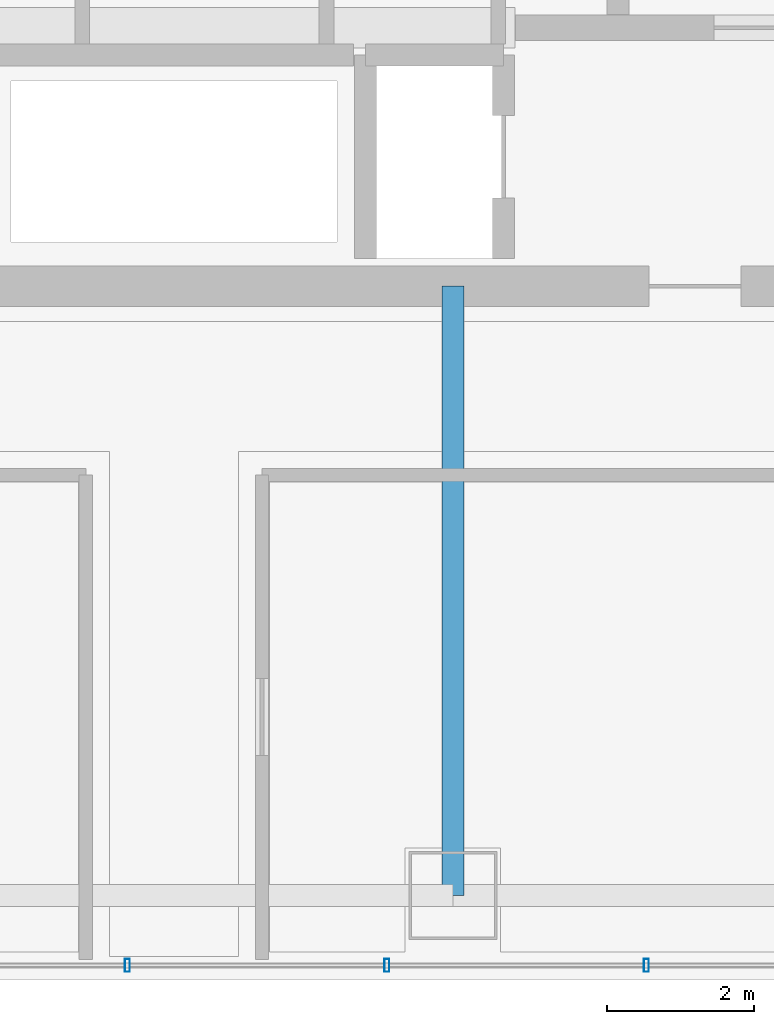
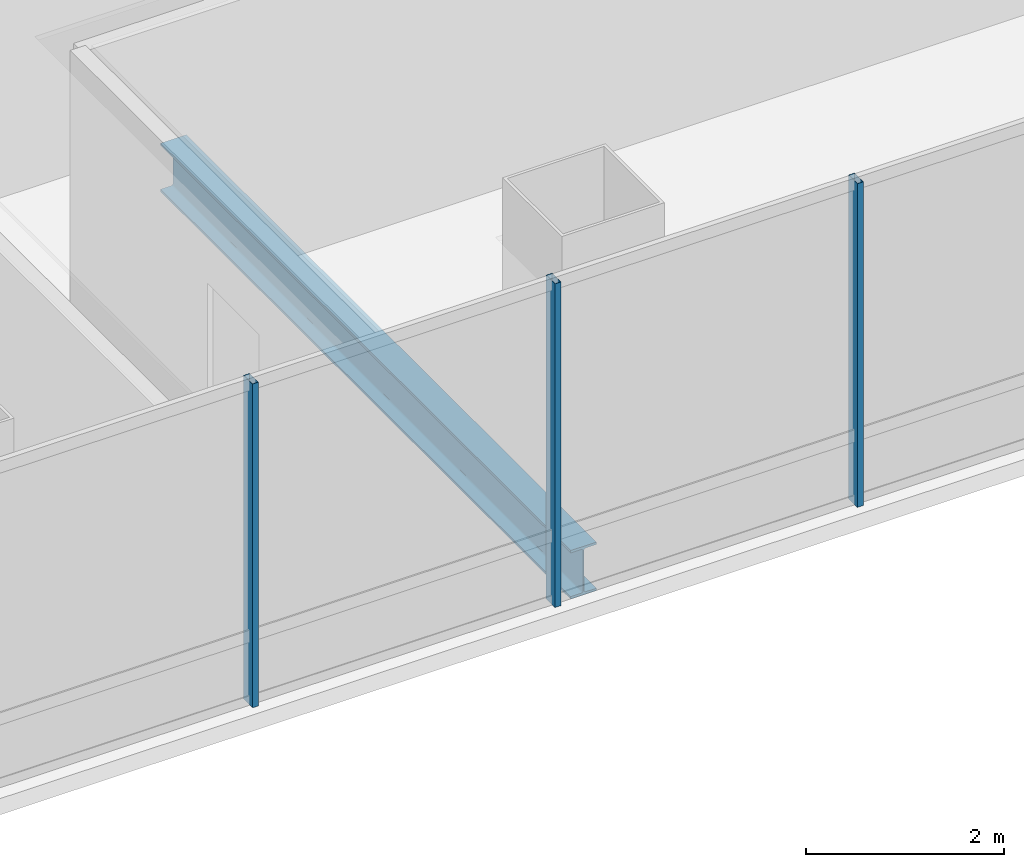
# One storey, part 9 of 41: 3 members, 1 beam, 1 element without a shape of its own.
"""IFC4 building model written with IfcOpenShell, lengths in metres."""

import ifcopenshell
import ifcopenshell.guid

model = None  # the IFC model being written
_history = None  # IfcOwnerHistory: only IFC2X3 demands one
_inside = {}  # id of a spatial element -> (the spatial element, [elements in it])
_under = {}  # id of a project, library or spatial element -> (it, [spatial elements below it])
_declared = {}  # id of a project -> (the project, [libraries it declares])
_typed = {}  # id of a type object -> (the type object, [elements of that type])
_made_of = {}  # id of a material, layer set ... -> (it, [elements and type objects made of it])


def new_model(schema):
    """Start an empty IFC model of exactly this schema.

    Asked for "IFC4X3", IfcOpenShell would pick the latest addendum, in which some entities
    have other attributes; the version numbers below select the first issue.
    IFC2X3 requires an IfcOwnerHistory on every rooted entity: one is made here for all.
    """
    global model, _history
    if schema == "IFC4X3":
        model = ifcopenshell.file(schema_version=(4, 3, 0, 0))
    else:
        model = ifcopenshell.file(schema=schema)
    _inside.clear()
    _under.clear()
    _declared.clear()
    _typed.clear()
    _made_of.clear()
    _history = None
    if model.schema == "IFC2X3":
        org = make("IfcOrganization", Name="unknown")
        user = make(
            "IfcPersonAndOrganization",
            ThePerson=make("IfcPerson", FamilyName="unknown"),
            TheOrganization=org,
        )
        app = make(
            "IfcApplication",
            ApplicationDeveloper=org,
            Version="unknown",
            ApplicationFullName="unknown",
            ApplicationIdentifier="unknown",
        )
        _history = make(
            "IfcOwnerHistory",
            OwningUser=user,
            OwningApplication=app,
            ChangeAction="ADDED",
            CreationDate=0,
        )
    return model


def make(cls, **values):
    """One entity of the class cls with the attributes given. An attribute that is None is left unset."""
    return model.create_entity(
        cls, **{name: value for name, value in values.items() if value is not None}
    )


def rooted(cls, **values):
    """An entity with a GlobalId (a new one), such as an element, a storey or a relation."""
    return make(cls, GlobalId=ifcopenshell.guid.new(), OwnerHistory=_history, **values)


def si_unit(unit_type, name, prefix=None):
    """IfcSIUnit, for example si_unit("LENGTHUNIT", "METRE", prefix="MILLI")."""
    return make("IfcSIUnit", UnitType=unit_type, Prefix=prefix, Name=name)


def assignment(units):
    """IfcUnitAssignment: the units of a project."""
    return None if units is None else make("IfcUnitAssignment", Units=units)


def point(xyz):
    """IfcCartesianPoint."""
    return None if xyz is None else make("IfcCartesianPoint", Coordinates=xyz)


def direction(xyz):
    """IfcDirection."""
    return None if xyz is None else make("IfcDirection", DirectionRatios=xyz)


def frame(location, z_axis=None, x_axis=None):
    """IfcAxis2Placement3D, a coordinate frame: its origin and axes. An axis left out is left unset."""
    return make(
        "IfcAxis2Placement3D",
        Location=point(location),
        Axis=direction(z_axis),
        RefDirection=direction(x_axis),
    )


def frame_2d(location, x_axis=None):
    """IfcAxis2Placement2D, a coordinate frame in the plane: its origin and x axis."""
    return make(
        "IfcAxis2Placement2D", Location=point(location), RefDirection=direction(x_axis)
    )


def origin():
    """The frame at (0, 0, 0) with its axes left unset."""
    return frame((0.0, 0.0, 0.0))


def origin_2d():
    """The frame at (0, 0) in the plane with its x axis left unset."""
    return frame_2d((0.0, 0.0))


def place(relative_to, where):
    """IfcLocalPlacement: puts the frame where relative to a parent placement (None: the world)."""
    return make(
        "IfcLocalPlacement", PlacementRelTo=relative_to, RelativePlacement=where
    )


def context(
    kind, dimensions, precision=None, world=None, true_north=None, identifier=None
):
    """IfcGeometricRepresentationContext, for example the 3D "Model" context."""
    return make(
        "IfcGeometricRepresentationContext",
        ContextIdentifier=identifier,
        ContextType=kind,
        CoordinateSpaceDimension=dimensions,
        Precision=precision,
        WorldCoordinateSystem=world,
        TrueNorth=true_north,
    )


def subcontext(parent, identifier, kind, view, scale=None):
    """IfcGeometricRepresentationSubContext, for example "Body" below "Model"."""
    return make(
        "IfcGeometricRepresentationSubContext",
        ContextIdentifier=identifier,
        ContextType=kind,
        ParentContext=parent,
        TargetScale=scale,
        TargetView=view,
    )


def project(units=None, contexts=None):
    """IfcProject with its units and contexts."""
    return rooted(
        "IfcProject",
        Name="project",
        RepresentationContexts=contexts,
        UnitsInContext=assignment(units),
    )


def spatial(cls, under=None, at=None, **own):
    """A site, building, storey or space (cls), placed at a placement, below another one or the project."""
    s = rooted(cls, ObjectPlacement=at, **own)
    if under is not None:
        _under.setdefault(under.id(), (under, []))[1].append(s)
    return s


def profile(cls, at=None, kind="AREA", **sizes):
    """A parametric profile (cls). Its sizes go by their IFC names, for example OverallWidth=200.0."""
    return make(cls, ProfileType=kind, Position=at, **sizes)


def hollow_rectangle(**sizes):
    """IfcRectangleHollowProfileDef."""
    return profile("IfcRectangleHollowProfileDef", **sizes)


def i_section(**sizes):
    """IfcIShapeProfileDef."""
    return profile("IfcIShapeProfileDef", **sizes)


def extrude(swept, where, along, depth):
    """IfcExtrudedAreaSolid: the profile swept, set in the frame where, extruded along a direction by depth."""
    return make(
        "IfcExtrudedAreaSolid",
        SweptArea=swept,
        Position=where,
        ExtrudedDirection=direction(along),
        Depth=depth,
    )


def shape(context_of_items, identifier, shape_type, items):
    """IfcShapeRepresentation: the items that make up one representation, for example the "Body"."""
    return make(
        "IfcShapeRepresentation",
        ContextOfItems=context_of_items,
        RepresentationIdentifier=identifier,
        RepresentationType=shape_type,
        Items=items,
    )


def material(Name=None, Category=None):
    """IfcMaterial."""
    return make("IfcMaterial", Name=Name, Category=Category)


def material_profile(
    of_material, cross_section, Name=None, Category=None, Priority=None
):
    """IfcMaterialProfile: a cross section and its material."""
    return make(
        "IfcMaterialProfile",
        Name=Name,
        Material=of_material,
        Profile=cross_section,
        Priority=Priority,
        Category=Category,
    )


def profile_set(profiles, Name=None, composite=None):
    """IfcMaterialProfileSet."""
    return make(
        "IfcMaterialProfileSet",
        Name=Name,
        MaterialProfiles=profiles,
        CompositeProfile=composite,
    )


def made_of(thing, what):
    """Note that an element or type object is made of a material, layer set ...; save() writes the relation."""
    if what is not None:
        _made_of.setdefault(what.id(), (what, []))[1].append(thing)
    return thing


def type_object(cls, material=None, **own):
    """A type object (cls), such as IfcWallType, which elements share."""
    return made_of(rooted(cls, **own), material)


def element(
    cls,
    number,
    at=None,
    inside=None,
    cuts=None,
    type_object=None,
    material=None,
    context=None,
    identifier="Body",
    shape_type=None,
    held_by="IfcProductDefinitionShape",
    body=None,
    shapes=None,
    **own,
):
    """One element of the class cls, such as IfcWall. Its Tag is "e" and its number.

    at: its placement. inside: the storey or other place that contains it. cuts: it is an
    opening in that element (IfcRelVoidsElement). A single representation is given by context,
    identifier, shape_type and body (its items); several are given by shapes. held_by: the class
    of the entity that holds the representations. save() writes the other relations.
    """
    e = rooted(cls, Tag="e%d" % number, ObjectPlacement=at, **own)
    if body is not None:
        shapes = [shape(context, identifier, shape_type, body)]
    if shapes is not None:
        e.Representation = make(held_by, Representations=shapes)
    if inside is not None:
        _inside.setdefault(inside.id(), (inside, []))[1].append(e)
    if cuts is not None:
        rooted(
            "IfcRelVoidsElement", RelatingBuildingElement=cuts, RelatedOpeningElement=e
        )
    if type_object is not None:
        _typed.setdefault(type_object.id(), (type_object, []))[1].append(e)
    return made_of(e, material)


def aggregate(whole, parts):
    """IfcRelAggregates: a whole, such as a stair, and the parts it consists of."""
    return rooted("IfcRelAggregates", RelatingObject=whole, RelatedObjects=parts)


def save(model, path):
    """Write the relations noted so far, then the file.

    IfcRelAggregates (storeys below a building ...), IfcRelContainedInSpatialStructure (elements
    in a storey), IfcRelDefinesByType, IfcRelAssociatesMaterial and IfcRelDeclares: one each for
    every whole, place, type object, material and project.
    """
    for whole, parts in _under.values():
        aggregate(whole, parts)
    for where, things in _inside.values():
        rooted(
            "IfcRelContainedInSpatialStructure",
            RelatedElements=things,
            RelatingStructure=where,
        )
    for kind, things in _typed.values():
        rooted("IfcRelDefinesByType", RelatedObjects=things, RelatingType=kind)
    for what, things in _made_of.values():
        rooted("IfcRelAssociatesMaterial", RelatedObjects=things, RelatingMaterial=what)
    for by, libraries in _declared.values():
        rooted("IfcRelDeclares", RelatingContext=by, RelatedDefinitions=libraries)
    model.write(path)


model = new_model("IFC4")

# Units and contexts
model_context = context("Model", 3, precision=1e-05, world=origin(), true_north=direction((0.0, 1.0)))
body_context = subcontext(model_context, "Body", "Model", "MODEL_VIEW")
ifc_project = project(units=[si_unit("LENGTHUNIT", "METRE"), si_unit("AREAUNIT", "SQUARE_METRE"), si_unit("VOLUMEUNIT", "CUBIC_METRE"), si_unit("PLANEANGLEUNIT", "RADIAN"), si_unit("MASSUNIT", "GRAM", prefix="KILO")], contexts=[model_context])

# Site, building, storey
site_placement = place(None, origin())
site = spatial("IfcSite", under=ifc_project, at=site_placement, CompositionType="ELEMENT")
building_placement = place(site_placement, origin())
building = spatial("IfcBuilding", under=site, at=building_placement, Name="Punatoya Terracotta Tower", CompositionType="ELEMENT")
storey_placement = place(building_placement, frame((0.0, 0.0, 292.199951171875)))
storey = spatial("IfcBuildingStorey", under=building, at=storey_placement, Name="L69", CompositionType="ELEMENT", Elevation=292.199951171875)

# Beam
ifc_material_1 = material(Name="Steel S355", Category="steel")
ifc_material_profile_1 = material_profile(ifc_material_1, i_section(OverallWidth=0.300048828125, OverallDepth=0.60009765625, WebThickness=0.015380859375, FlangeThickness=0.030029296875, FilletRadius=0.01806640625, at=origin_2d()))
ifc_profile_set_1 = profile_set([ifc_material_profile_1], Name="Steel S355")
beam_type = type_object("IfcBeamType", Name="BM-PRI-600", PredefinedType="BEAM", material=ifc_profile_set_1)
beam_placement = place(storey_placement, frame((3.800048828125, -17.5, -0.5), z_axis=(0.0, 1.0, 0.0), x_axis=(-1.0, 0.0, 0.0)))
element("IfcBeam", 1, at=beam_placement, inside=storey, type_object=beam_type, Name="BM-L69-PR-S3", PredefinedType="BEAM", context=body_context, shape_type="SweptSolid", body=[
    extrude(i_section(OverallWidth=0.300048828125, OverallDepth=0.60009765625, WebThickness=0.015380859375, FlangeThickness=0.030029296875, FilletRadius=0.01806640625, at=origin_2d()), origin(), (0.0, 0.0, 1.0), 8.300048828125),
])

# Curtain wall, members
ifc_material_2 = material(Name="Aluminium 6063-T6 + Double Low-E Glass", Category="aluminium")
curtain_wall_type = type_object("IfcCurtainWallType", Name="CW-M3", PredefinedType="NOTDEFINED", material=ifc_material_2)
curtain_wall_placement = place(storey_placement, origin())
curtain_wall = element("IfcCurtainWall", 2, at=curtain_wall_placement, inside=storey, type_object=curtain_wall_type, Name="L69 Curtain Wall CW-L69-S01-1", PredefinedType="NOTDEFINED")
ifc_material_3 = material(Name="Aluminium 6063-T6", Category="aluminium")
ifc_material_profile_2 = material_profile(ifc_material_3, hollow_rectangle(XDim=0.070068359375, YDim=0.179931640625, WallThickness=0.00390625, at=origin_2d()))
ifc_profile_set_2 = profile_set([ifc_material_profile_2], Name="Aluminium 6063-T6")
member_type = type_object("IfcMemberType", Name="CW-MUL-M3", PredefinedType="MULLION", material=ifc_profile_set_2)
member_1_placement = place(storey_placement, frame((-0.633056640625, -18.449951171875, 0.0), z_axis=(0.0, 0.0, 1.0), x_axis=(1.0, 0.0, 0.0)))
member_1 = element("IfcMember", 3, at=member_1_placement, type_object=member_type, Name="CW-L69-S01-1 Mullion 06", PredefinedType="MULLION", context=body_context, shape_type="SweptSolid", body=[
    extrude(hollow_rectangle(XDim=0.070068359375, YDim=0.179931640625, WallThickness=0.00390625, at=origin_2d()), origin(), (0.0, 0.0, 1.0), 4.0),
])
member_2_placement = place(storey_placement, frame((2.90087890625, -18.449951171875, 0.0), z_axis=(0.0, 0.0, 1.0), x_axis=(1.0, 0.0, 0.0)))
member_2 = element("IfcMember", 4, at=member_2_placement, type_object=member_type, Name="CW-L69-S01-1 Mullion 07", PredefinedType="MULLION", context=body_context, shape_type="SweptSolid", body=[
    extrude(hollow_rectangle(XDim=0.070068359375, YDim=0.179931640625, WallThickness=0.00390625, at=origin_2d()), origin(), (0.0, 0.0, 1.0), 4.0),
])
member_3_placement = place(storey_placement, frame((6.43505859375, -18.449951171875, 0.0), z_axis=(0.0, 0.0, 1.0), x_axis=(1.0, 0.0, 0.0)))
member_3 = element("IfcMember", 5, at=member_3_placement, type_object=member_type, Name="CW-L69-S01-1 Mullion 08", PredefinedType="MULLION", context=body_context, shape_type="SweptSolid", body=[
    extrude(hollow_rectangle(XDim=0.070068359375, YDim=0.179931640625, WallThickness=0.00390625, at=origin_2d()), origin(), (0.0, 0.0, 1.0), 4.0),
])
aggregate(curtain_wall, [member_1, member_2, member_3])

save(model, "model.ifc")
